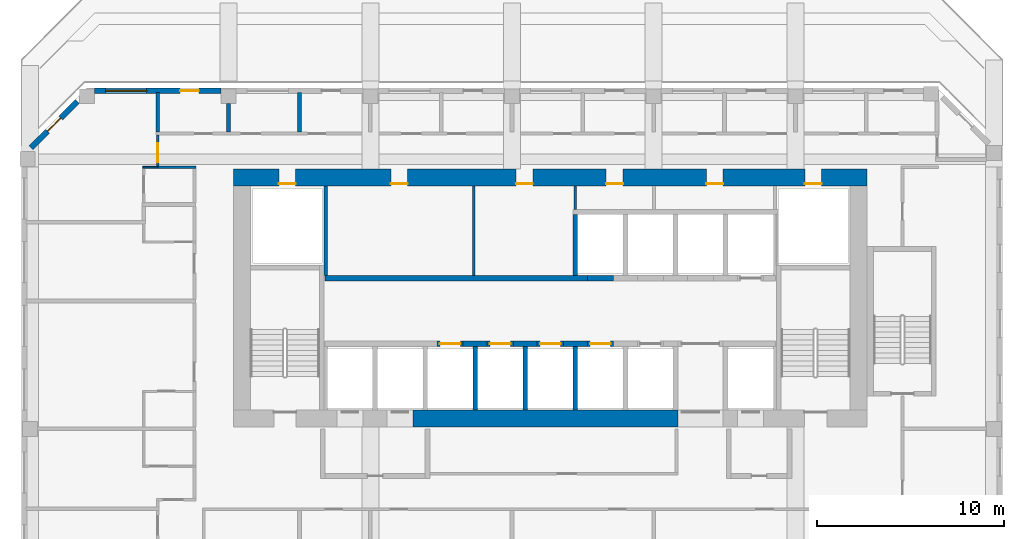
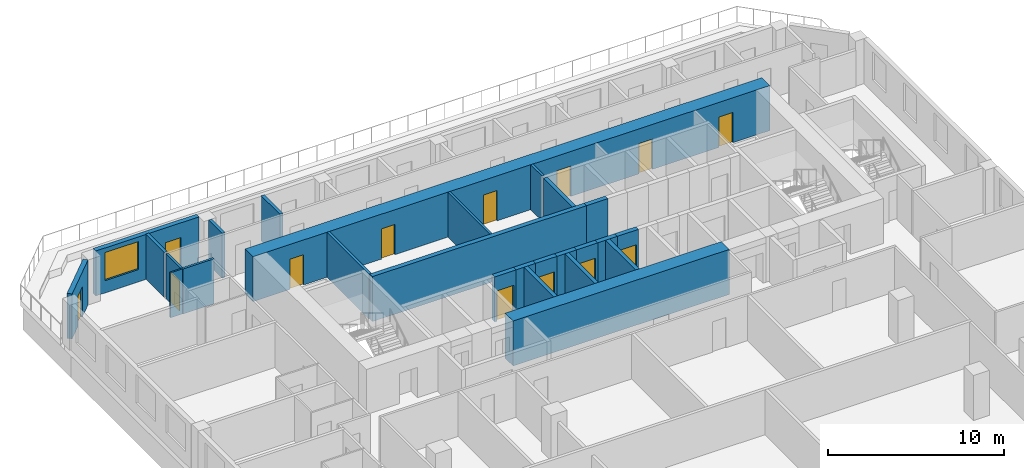
# One storey, part 8 of 16: 26 walls, 13 doors, 1 window, 14 openings.
"""IFC4 building model written with IfcOpenShell, lengths in metres."""

from ifc_helpers import new_model, si_unit, direction, frame, frame_2d, origin, place, context, subcontext, project, spatial, rectangle, extrude, source, transform, mapped, material, layer, layer_set, type_object, element, fill, save


model = new_model("IFC4")

# Units and contexts
model_context = context("Model", 3, precision=1e-05, world=origin(), true_north=direction((0.0, 1.0)))
body_context = subcontext(model_context, "Body", "Model", "MODEL_VIEW")
ifc_project = project(units=[si_unit("LENGTHUNIT", "METRE"), si_unit("AREAUNIT", "SQUARE_METRE"), si_unit("VOLUMEUNIT", "CUBIC_METRE"), si_unit("PLANEANGLEUNIT", "RADIAN"), si_unit("MASSUNIT", "GRAM", prefix="KILO")], contexts=[model_context])

# Site, building, storey
site_placement = place(None, origin())
site = spatial("IfcSite", under=ifc_project, at=site_placement, CompositionType="ELEMENT")
building_placement = place(site_placement, origin())
building = spatial("IfcBuilding", under=site, at=building_placement, Name="Kilnfold Tower and Market Hall", CompositionType="ELEMENT")
storey_placement = place(building_placement, frame((0.0, 0.0, 168.5)))
storey = spatial("IfcBuildingStorey", under=building, at=storey_placement, Name="L39", CompositionType="ELEMENT", Elevation=168.5)

# Wall, opening, door
ifc_material_1 = material(Name="Gypsum board on steel studs", Category="steel")
ifc_layer_1 = layer(ifc_material_1, 0.14990234375)
ifc_layer_set_1 = layer_set([ifc_layer_1], Name="Gypsum board on steel studs")
wall_type_1 = type_object("IfcWallType", Name="WALL CORRIDOR 150", PredefinedType="PARTITIONING", material=ifc_layer_set_1)
wall_1_placement = place(storey_placement, frame((-19.958984375, 22.074951171875, 0.0), z_axis=(0.0, 0.0, 1.0), x_axis=(0.0, 1.0, 0.0)))
wall_1 = element("IfcWall", 1, at=wall_1_placement, inside=storey, type_object=wall_type_1, Name="Partition LY26.26", PredefinedType="PARTITIONING", context=body_context, shape_type="SweptSolid", body=[
    extrude(rectangle(XDim=1.650146484375, YDim=0.14990234375, at=frame_2d((0.8251953125, 0.0))), origin(), (0.0, 0.0, 1.0), 3.1201171875),
])
opening_1_placement = place(wall_1_placement, frame((0.199951171875, 0.0, 0.0)))
opening_1 = element("IfcOpeningElement", 2, at=opening_1_placement, cuts=wall_1, Name="Opening D1", PredefinedType="OPENING", context=body_context, shape_type="SweptSolid", body=[
    extrude(rectangle(XDim=1.0, YDim=2.10009765625, at=frame_2d((0.5, 1.050048828125))), frame((0.0, 0.0849609375, 0.0), z_axis=(0.0, -1.0, 0.0), x_axis=(1.0, 0.0, 0.0)), (0.0, 0.0, 1.0), 0.169921875),
])
ifc_material_2 = material(Name="Timber veneer door leaf in steel frame", Category="steel")
door_type_1 = type_object("IfcDoorType", Name="DOOR ENTRY 1000 X2100", OperationType="NOTDEFINED", PredefinedType="DOOR", material=ifc_material_2)
door_1_placement = place(opening_1_placement, origin())
door_1 = element("IfcDoor", 3, at=door_1_placement, inside=storey, type_object=door_type_1, Name="Door D1", OperationType="SINGLE_SWING_LEFT", OverallHeight=2.10009765625, OverallWidth=1.0, PredefinedType="DOOR", context=body_context, shape_type="SweptSolid", body=[
    extrude(rectangle(XDim=1.0, YDim=2.10009765625, at=frame_2d((0.5, 1.050048828125))), frame((0.0, 0.02490234375, 0.0), z_axis=(0.0, -1.0, 0.0), x_axis=(1.0, 0.0, 0.0)), (0.0, 0.0, 1.0), 0.050048828125),
])
fill(opening_1, door_1)

# Walls
wall_2_placement = place(storey_placement, frame((-19.958984375, 22.0, 0.0), z_axis=(0.0, 0.0, 1.0), x_axis=(1.0, 0.0, 0.0)))
element("IfcWall", 4, at=wall_2_placement, inside=storey, type_object=wall_type_1, Name="Partition LY26.28", PredefinedType="PARTITIONING", context=body_context, shape_type="SweptSolid", body=[
    extrude(rectangle(XDim=2.033935546875, YDim=0.14990234375, at=frame_2d((1.01708984375, 0.0))), origin(), (0.0, 0.0, 1.0), 3.1201171875),
])
ifc_material_3 = material(Name="Gypsum board on steel studs", Category="steel")
ifc_layer_2 = layer(ifc_material_3, 0.10009765625)
ifc_layer_set_2 = layer_set([ifc_layer_2], Name="Gypsum board on steel studs")
wall_type_2 = type_object("IfcWallType", Name="WALL PARTITION 100", PredefinedType="PARTITIONING", material=ifc_layer_set_2)
wall_3_placement = place(storey_placement, frame((-20.751953125, 22.0, 0.0), z_axis=(0.0, 0.0, 1.0), x_axis=(1.0, 0.0, 0.0)))
element("IfcWall", 5, at=wall_3_placement, inside=storey, type_object=wall_type_2, Name="Partition LY26.115", PredefinedType="PARTITIONING", context=body_context, shape_type="SweptSolid", body=[
    extrude(rectangle(XDim=0.791015625, YDim=0.10009765625, at=frame_2d((0.3955078125, 0.0))), origin(), (0.0, 0.0, 1.0), 3.1201171875),
])
ifc_material_4 = material(Name="Gypsum board on steel studs", Category="steel")
ifc_layer_3 = layer(ifc_material_4, 0.199951171875)
ifc_layer_set_3 = layer_set([ifc_layer_3], Name="Gypsum board on steel studs")
wall_type_3 = type_object("IfcWallType", Name="WALL PARTY 200", PredefinedType="PARTITIONING", material=ifc_layer_set_3)
wall_4_placement = place(storey_placement, frame((-19.958984375, 23.876953125, 0.0), z_axis=(0.0, 0.0, 1.0), x_axis=(0.0, 1.0, 0.0)))
element("IfcWall", 6, at=wall_4_placement, inside=storey, type_object=wall_type_3, Name="Partition LY26.117", PredefinedType="PARTITIONING", context=body_context, shape_type="SweptSolid", body=[
    extrude(rectangle(XDim=2.123046875, YDim=0.199951171875, at=frame_2d((1.0615234375, 0.0))), origin(), (0.0, 0.0, 1.0), 3.1201171875),
])
wall_5_placement = place(storey_placement, frame((-16.1669921875, 23.876953125, 0.0), z_axis=(0.0, 0.0, 1.0), x_axis=(0.0, 1.0, 0.0)))
element("IfcWall", 7, at=wall_5_placement, inside=storey, type_object=wall_type_3, Name="Partition LY26.124", PredefinedType="PARTITIONING", context=body_context, shape_type="SweptSolid", body=[
    extrude(rectangle(XDim=1.52294921875, YDim=0.199951171875, at=frame_2d((0.761474609375, 0.0))), origin(), (0.0, 0.0, 1.0), 3.1201171875),
])
wall_6_placement = place(storey_placement, frame((-12.375, 23.876953125, 0.0), z_axis=(0.0, 0.0, 1.0), x_axis=(0.0, 1.0, 0.0)))
element("IfcWall", 8, at=wall_6_placement, inside=storey, type_object=wall_type_3, Name="Partition LY26.125", PredefinedType="PARTITIONING", context=body_context, shape_type="SweptSolid", body=[
    extrude(rectangle(XDim=2.123046875, YDim=0.199951171875, at=frame_2d((1.0615234375, 0.0))), origin(), (0.0, 0.0, 1.0), 3.1201171875),
])
ifc_material_5 = material(Name="Concrete C70", Category="concrete")
ifc_layer_4 = layer(ifc_material_5, 0.89990234375)
ifc_layer_set_4 = layer_set([ifc_layer_4], Name="Concrete C70")
wall_type_4 = type_object("IfcWallType", Name="CORE WALL 900 C70", PredefinedType="SHEAR", material=ifc_layer_set_4)
shared_shape_1 = source(origin(), body_context, "Body", "SweptSolid", [
    extrude(rectangle(XDim=14.179931640625, YDim=0.89990234375, at=frame_2d((7.08984375, 0.0))), origin(), (0.0, 0.0, 1.0), 3.1201171875),
])
wall_7_placement = place(storey_placement, frame((-6.2900390625, 8.550048828125, 0.0), z_axis=(0.0, 0.0, 1.0), x_axis=(1.0, 0.0, 0.0)))
element("IfcWall", 9, at=wall_7_placement, inside=storey, type_object=wall_type_4, Name="Core outer wall south", PredefinedType="SHEAR", context=body_context, shape_type="MappedRepresentation", body=[
    mapped(shared_shape_1, transform((0.0, 0.0, 0.0))),
])

# Wall, openings, doors
shared_shape_2 = source(origin(), body_context, "Body", "SweptSolid", [
    extrude(rectangle(XDim=33.89990234375, YDim=0.89990234375, at=frame_2d((16.949951171875, 0.0))), origin(), (0.0, 0.0, 1.0), 3.1201171875),
])
wall_8_placement = place(storey_placement, frame((-15.89990234375, 21.449951171875, 0.0), z_axis=(0.0, 0.0, 1.0), x_axis=(1.0, 0.0, 0.0)))
wall_8 = element("IfcWall", 10, at=wall_8_placement, inside=storey, type_object=wall_type_4, Name="Core outer wall north", PredefinedType="SHEAR", context=body_context, shape_type="MappedRepresentation", body=[
    mapped(shared_shape_2, transform((0.0, 0.0, 0.0))),
])
opening_2_placement = place(wall_8_placement, frame((8.419921875, 0.0, 0.0)))
opening_2 = element("IfcOpeningElement", 11, at=opening_2_placement, cuts=wall_8, Name="Opening KD1", PredefinedType="OPENING", context=body_context, shape_type="SweptSolid", body=[
    extrude(rectangle(XDim=0.89990234375, YDim=2.10009765625, at=frame_2d((0.449951171875, 1.050048828125))), frame((0.0, 0.4599609375, 0.0), z_axis=(0.0, -1.0, 0.0), x_axis=(1.0, 0.0, 0.0)), (0.0, 0.0, 1.0), 0.919921875),
])
opening_3_placement = place(wall_8_placement, frame((15.119873046875, 0.0, 0.0)))
opening_3 = element("IfcOpeningElement", 12, at=opening_3_placement, cuts=wall_8, Name="Opening KD1", PredefinedType="OPENING", context=body_context, shape_type="SweptSolid", body=[
    extrude(rectangle(XDim=0.89990234375, YDim=2.10009765625, at=frame_2d((0.449951171875, 1.050048828125))), frame((0.0, 0.4599609375, 0.0), z_axis=(0.0, -1.0, 0.0), x_axis=(1.0, 0.0, 0.0)), (0.0, 0.0, 1.0), 0.919921875),
])
opening_4_placement = place(wall_8_placement, frame((19.94384765625, 0.0, 0.0)))
opening_4 = element("IfcOpeningElement", 13, at=opening_4_placement, cuts=wall_8, Name="Opening KD1", PredefinedType="OPENING", context=body_context, shape_type="SweptSolid", body=[
    extrude(rectangle(XDim=0.89990234375, YDim=2.10009765625, at=frame_2d((0.449951171875, 1.050048828125))), frame((0.0, 0.4599609375, 0.0), z_axis=(0.0, -1.0, 0.0), x_axis=(1.0, 0.0, 0.0)), (0.0, 0.0, 1.0), 0.919921875),
])
opening_5_placement = place(wall_8_placement, frame((25.3037109375, 0.0, 0.0)))
opening_5 = element("IfcOpeningElement", 14, at=opening_5_placement, cuts=wall_8, Name="Opening KD1", PredefinedType="OPENING", context=body_context, shape_type="SweptSolid", body=[
    extrude(rectangle(XDim=0.89990234375, YDim=2.10009765625, at=frame_2d((0.449951171875, 1.050048828125))), frame((0.0, 0.4599609375, 0.0), z_axis=(0.0, -1.0, 0.0), x_axis=(1.0, 0.0, 0.0)), (0.0, 0.0, 1.0), 0.919921875),
])
opening_6_placement = place(wall_8_placement, frame((2.425048828125, 0.0, 0.0)))
opening_6 = element("IfcOpeningElement", 15, at=opening_6_placement, cuts=wall_8, Name="Opening KD1", PredefinedType="OPENING", context=body_context, shape_type="SweptSolid", body=[
    extrude(rectangle(XDim=0.89990234375, YDim=2.10009765625, at=frame_2d((0.449951171875, 1.050048828125))), frame((0.0, 0.4599609375, 0.0), z_axis=(0.0, -1.0, 0.0), x_axis=(1.0, 0.0, 0.0)), (0.0, 0.0, 1.0), 0.919921875),
])
opening_7_placement = place(wall_8_placement, frame((30.574951171875, 0.0, 0.0)))
opening_7 = element("IfcOpeningElement", 16, at=opening_7_placement, cuts=wall_8, Name="Opening KD1", PredefinedType="OPENING", context=body_context, shape_type="SweptSolid", body=[
    extrude(rectangle(XDim=0.89990234375, YDim=2.10009765625, at=frame_2d((0.449951171875, 1.050048828125))), frame((0.0, 0.4599609375, 0.0), z_axis=(0.0, -1.0, 0.0), x_axis=(1.0, 0.0, 0.0)), (0.0, 0.0, 1.0), 0.919921875),
])
ifc_material_6 = material(Name="Steel door set with fire-resisting leaf", Category="steel")
door_type_2 = type_object("IfcDoorType", Name="SERVICE DOOR 900X2100", OperationType="NOTDEFINED", PredefinedType="DOOR", material=ifc_material_6)
door_2_placement = place(opening_2_placement, origin())
door_2 = element("IfcDoor", 17, at=door_2_placement, inside=storey, type_object=door_type_2, Name="Core service door", OperationType="SINGLE_SWING_RIGHT", OverallHeight=2.10009765625, OverallWidth=0.89990234375, PredefinedType="DOOR", context=body_context, shape_type="SweptSolid", body=[
    extrude(rectangle(XDim=0.89990234375, YDim=2.10009765625, at=frame_2d((0.449951171875, 1.050048828125))), frame((0.0, -0.30517578125, 0.0), z_axis=(0.0, -1.0, 0.0), x_axis=(1.0, 0.0, 0.0)), (0.0, 0.0, 1.0), 0.050048828125),
])
fill(opening_2, door_2)
door_3_placement = place(opening_3_placement, origin())
door_3 = element("IfcDoor", 18, at=door_3_placement, inside=storey, type_object=door_type_2, Name="Core service door", OperationType="SINGLE_SWING_LEFT", OverallHeight=2.10009765625, OverallWidth=0.89990234375, PredefinedType="DOOR", context=body_context, shape_type="SweptSolid", body=[
    extrude(rectangle(XDim=0.89990234375, YDim=2.10009765625, at=frame_2d((0.449951171875, 1.050048828125))), frame((0.0, -0.30517578125, 0.0), z_axis=(0.0, -1.0, 0.0), x_axis=(1.0, 0.0, 0.0)), (0.0, 0.0, 1.0), 0.050048828125),
])
fill(opening_3, door_3)
door_4_placement = place(opening_4_placement, origin())
door_4 = element("IfcDoor", 19, at=door_4_placement, inside=storey, type_object=door_type_2, Name="Core service door", OperationType="SINGLE_SWING_RIGHT", OverallHeight=2.10009765625, OverallWidth=0.89990234375, PredefinedType="DOOR", context=body_context, shape_type="SweptSolid", body=[
    extrude(rectangle(XDim=0.89990234375, YDim=2.10009765625, at=frame_2d((0.449951171875, 1.050048828125))), frame((0.0, -0.30517578125, 0.0), z_axis=(0.0, -1.0, 0.0), x_axis=(1.0, 0.0, 0.0)), (0.0, 0.0, 1.0), 0.050048828125),
])
fill(opening_4, door_4)
door_5_placement = place(opening_5_placement, origin())
door_5 = element("IfcDoor", 20, at=door_5_placement, inside=storey, type_object=door_type_2, Name="Core service door", OperationType="SINGLE_SWING_LEFT", OverallHeight=2.10009765625, OverallWidth=0.89990234375, PredefinedType="DOOR", context=body_context, shape_type="SweptSolid", body=[
    extrude(rectangle(XDim=0.89990234375, YDim=2.10009765625, at=frame_2d((0.449951171875, 1.050048828125))), frame((0.0, -0.30517578125, 0.0), z_axis=(0.0, -1.0, 0.0), x_axis=(1.0, 0.0, 0.0)), (0.0, 0.0, 1.0), 0.050048828125),
])
fill(opening_5, door_5)
door_6_placement = place(opening_6_placement, origin())
door_6 = element("IfcDoor", 21, at=door_6_placement, inside=storey, type_object=door_type_2, Name="Electrical riser access door", OperationType="SINGLE_SWING_RIGHT", OverallHeight=2.10009765625, OverallWidth=0.89990234375, PredefinedType="DOOR", context=body_context, shape_type="SweptSolid", body=[
    extrude(rectangle(XDim=0.89990234375, YDim=2.10009765625, at=frame_2d((0.449951171875, 1.050048828125))), frame((0.0, -0.30517578125, 0.0), z_axis=(0.0, -1.0, 0.0), x_axis=(1.0, 0.0, 0.0)), (0.0, 0.0, 1.0), 0.050048828125),
])
fill(opening_6, door_6)
door_7_placement = place(opening_7_placement, origin())
door_7 = element("IfcDoor", 22, at=door_7_placement, inside=storey, type_object=door_type_2, Name="Mechanical riser access door", OperationType="SINGLE_SWING_LEFT", OverallHeight=2.10009765625, OverallWidth=0.89990234375, PredefinedType="DOOR", context=body_context, shape_type="SweptSolid", body=[
    extrude(rectangle(XDim=0.89990234375, YDim=2.10009765625, at=frame_2d((0.449951171875, 1.050048828125))), frame((0.0, -0.30517578125, 0.0), z_axis=(0.0, -1.0, 0.0), x_axis=(1.0, 0.0, 0.0)), (0.0, 0.0, 1.0), 0.050048828125),
])
fill(opening_7, door_7)

# Walls
ifc_material_7 = material(Name="Concrete C70", Category="concrete")
ifc_layer_5 = layer(ifc_material_7, 0.300048828125)
ifc_layer_set_5 = layer_set([ifc_layer_5], Name="Concrete C70")
wall_type_5 = type_object("IfcWallType", Name="CORE WALL 300 C70", PredefinedType="SHEAR", material=ifc_layer_set_5)
shared_shape_3 = source(origin(), body_context, "Body", "SweptSolid", [
    extrude(rectangle(XDim=1.280029296875, YDim=0.300048828125, at=frame_2d((0.64013671875, 0.0))), origin(), (0.0, 0.0, 1.0), 3.1201171875),
])
for number, where, z_axis, x_axis, name in (
    (23, (-3.610107421875, 12.550048828125, 0.0), (0.0, 0.0, 1.0), (1.0, 0.0, 0.0), "Core spine wall"),
    (24, (-0.929931640625, 12.550048828125, 0.0), (0.0, 0.0, 1.0), (1.0, 0.0, 0.0), "Core spine wall"),
    (25, (1.75, 12.550048828125, 0.0), (0.0, 0.0, 1.0), (1.0, 0.0, 0.0), "Core spine wall"),
):
    element("IfcWall", number, at=place(storey_placement, frame(where, z_axis=z_axis, x_axis=x_axis)), inside=storey, type_object=wall_type_5, Name=name, PredefinedType="SHEAR", context=body_context, shape_type="MappedRepresentation", body=[
        mapped(shared_shape_3, transform((0.0, 0.0, 0.0))),
    ])
shared_shape_4 = source(origin(), body_context, "Body", "SweptSolid", [
    extrude(rectangle(XDim=14.0400390625, YDim=0.300048828125, at=frame_2d((7.02001953125, 0.0))), origin(), (0.0, 0.0, 1.0), 3.1201171875),
])
wall_9_placement = place(storey_placement, frame((-11.010009765625, 16.050048828125, 0.0), z_axis=(0.0, 0.0, 1.0), x_axis=(1.0, 0.0, 0.0)))
element("IfcWall", 26, at=wall_9_placement, inside=storey, type_object=wall_type_5, Name="Core spine wall", PredefinedType="SHEAR", context=body_context, shape_type="MappedRepresentation", body=[
    mapped(shared_shape_4, transform((0.0, 0.0, 0.0))),
])

# Wall, openings, door, window
ifc_material_8 = material(Name="Precast concrete C50/60", Category="concrete")
ifc_layer_6 = layer(ifc_material_8, 0.300048828125)
ifc_layer_set_6 = layer_set([ifc_layer_6], Name="Precast concrete C50/60")
wall_type_6 = type_object("IfcWallType", Name="PRECAST WALL 300", PredefinedType="SOLIDWALL", material=ifc_layer_set_6)
shared_shape_5 = source(origin(), body_context, "Body", "SweptSolid", [
    extrude(rectangle(XDim=6.783447265625, YDim=0.300048828125, at=frame_2d((3.3916015625, 0.0))), origin(), (0.0, 0.0, 1.0), 3.1201171875),
])
wall_10_placement = place(storey_placement, frame((-16.566650390625, 26.10009765625, 0.0), z_axis=(0.0, 0.0, 1.0), x_axis=(-1.0, 0.0, 0.0)))
wall_10 = element("IfcWall", 27, at=wall_10_placement, inside=storey, type_object=wall_type_6, Name="External wall L39 N", PredefinedType="SOLIDWALL", context=body_context, shape_type="MappedRepresentation", body=[
    mapped(shared_shape_5, transform((0.0, 0.0, 0.0))),
])
opening_8_placement = place(wall_10_placement, frame((1.19580078125, 0.0, 0.0)))
opening_8 = element("IfcOpeningElement", 28, at=opening_8_placement, cuts=wall_10, Name="Opening BD1", PredefinedType="OPENING", context=body_context, shape_type="SweptSolid", body=[
    extrude(rectangle(XDim=1.0, YDim=2.10009765625, at=frame_2d((0.5, 1.050048828125))), frame((0.0, 0.16015625, 0.0), z_axis=(0.0, -1.0, 0.0), x_axis=(1.0, 0.0, 0.0)), (0.0, 0.0, 1.0), 0.320068359375),
])
opening_9_placement = place(wall_10_placement, frame((3.987548828125, 0.0, 0.85009765625)))
opening_9 = element("IfcOpeningElement", 29, at=opening_9_placement, cuts=wall_10, Name="Opening W2", PredefinedType="OPENING", context=body_context, shape_type="SweptSolid", body=[
    extrude(rectangle(XDim=2.199951171875, YDim=1.949951171875, at=frame_2d((1.10009765625, 0.97509765625))), frame((0.0, 0.16015625, 0.0), z_axis=(0.0, -1.0, 0.0), x_axis=(1.0, 0.0, 0.0)), (0.0, 0.0, 1.0), 0.320068359375),
])
ifc_material_9 = material(Name="Aluminium frame and double glazing", Category="aluminium")
door_type_3 = type_object("IfcDoorType", Name="BALCONY DOOR 1000X2100", OperationType="NOTDEFINED", PredefinedType="DOOR", material=ifc_material_9)
door_8_placement = place(opening_8_placement, origin())
door_8 = element("IfcDoor", 30, at=door_8_placement, inside=storey, type_object=door_type_3, Name="Balcony door BD1 L39 N-1", OperationType="SINGLE_SWING_LEFT", OverallHeight=2.10009765625, OverallWidth=1.0, PredefinedType="DOOR", context=body_context, shape_type="SweptSolid", body=[
    extrude(rectangle(XDim=1.0, YDim=2.10009765625, at=frame_2d((0.5, 1.050048828125))), frame((0.0, 0.02490234375, 0.0), z_axis=(0.0, -1.0, 0.0), x_axis=(1.0, 0.0, 0.0)), (0.0, 0.0, 1.0), 0.050048828125),
])
fill(opening_8, door_8)
ifc_material_10 = material(Name="Aluminium frame and double glazing", Category="aluminium")
window_type = type_object("IfcWindowType", Name="WINDOW W2 2200X1950", PartitioningType="SINGLE_PANEL", PredefinedType="WINDOW", material=ifc_material_10)
window_placement = place(opening_9_placement, origin())
window = element("IfcWindow", 31, at=window_placement, inside=storey, type_object=window_type, Name="Window W2 L39 N-2", OverallHeight=1.949951171875, OverallWidth=2.199951171875, PartitioningType="SINGLE_PANEL", PredefinedType="WINDOW", context=body_context, shape_type="SweptSolid", body=[
    extrude(rectangle(XDim=2.199951171875, YDim=1.949951171875, at=frame_2d((1.10009765625, 0.97509765625))), frame((0.0, 0.030029296875, 0.0), z_axis=(0.0, -1.0, 0.0), x_axis=(1.0, 0.0, 0.0)), (0.0, 0.0, 1.0), 0.06005859375),
])
fill(opening_9, window)

# Wall, opening, door
shared_shape_6 = source(origin(), body_context, "Body", "SweptSolid", [
    extrude(rectangle(XDim=3.500244140625, YDim=0.300048828125, at=frame_2d((1.75, 0.0))), origin(), (0.0, 0.0, 1.0), 3.1201171875),
])
wall_11_placement = place(storey_placement, frame((-24.268798828125, 25.518798828125, 0.0), z_axis=(0.0, 0.0, 1.0), x_axis=(-0.707141656123, -0.70707190453, 0.0)))
wall_11 = element("IfcWall", 32, at=wall_11_placement, inside=storey, type_object=wall_type_6, Name="External wall L39 NW", PredefinedType="SOLIDWALL", context=body_context, shape_type="MappedRepresentation", body=[
    mapped(shared_shape_6, transform((0.0, 0.0, 0.0))),
])
opening_10_placement = place(wall_11_placement, frame((1.25, 0.0, 0.0)))
opening_10 = element("IfcOpeningElement", 33, at=opening_10_placement, cuts=wall_11, Name="Opening BD1", PredefinedType="OPENING", context=body_context, shape_type="SweptSolid", body=[
    extrude(rectangle(XDim=1.0, YDim=2.10009765625, at=frame_2d((0.5, 1.050048828125))), frame((0.0, 0.16015625, 0.0), z_axis=(0.0, -1.0, 0.0), x_axis=(1.0, 0.0, 0.0)), (0.0, 0.0, 1.0), 0.320068359375),
])
door_9_placement = place(opening_10_placement, origin())
door_9 = element("IfcDoor", 34, at=door_9_placement, inside=storey, type_object=door_type_3, Name="Balcony door BD1 L39 NW-1", OperationType="SINGLE_SWING_LEFT", OverallHeight=2.10009765625, OverallWidth=1.0, PredefinedType="DOOR", context=body_context, shape_type="SweptSolid", body=[
    extrude(rectangle(XDim=1.0, YDim=2.10009765625, at=frame_2d((0.5, 1.050048828125))), frame((0.0, 0.02490234375, 0.0), z_axis=(0.0, -1.0, 0.0), x_axis=(1.0, 0.0, 0.0)), (0.0, 0.0, 1.0), 0.050048828125),
])
fill(opening_10, door_9)

ifc_material_11 = material(Name="Gypsum shaft wall system")
ifc_layer_7 = layer(ifc_material_11, 0.300048828125)
ifc_layer_set_7 = layer_set([ifc_layer_7], Name="Gypsum shaft wall system")
wall_type_7 = type_object("IfcWallType", Name="SHAFT WALL 300", PredefinedType="PARTITIONING", material=ifc_layer_set_7)
shared_shape_7 = source(origin(), body_context, "Body", "SweptSolid", [
    extrude(rectangle(XDim=1.39990234375, YDim=0.300048828125, at=frame_2d((0.699951171875, 0.0))), origin(), (0.0, 0.0, 1.0), 3.1201171875),
])
wall_12_placement = place(storey_placement, frame((-5.010009765625, 12.550048828125, 0.0), z_axis=(0.0, 0.0, 1.0), x_axis=(1.0, 0.0, 0.0)))
wall_12 = element("IfcWall", 35, at=wall_12_placement, inside=storey, type_object=wall_type_7, Name="Lift shaft front wall", PredefinedType="PARTITIONING", context=body_context, shape_type="MappedRepresentation", body=[
    mapped(shared_shape_7, transform((0.0, 0.0, 0.0))),
])
opening_11_placement = place(wall_12_placement, frame((0.14990234375, 0.0, 0.0)))
opening_11 = element("IfcOpeningElement", 36, at=opening_11_placement, cuts=wall_12, Name="Opening LD2", PredefinedType="OPENING", context=body_context, shape_type="SweptSolid", body=[
    extrude(rectangle(XDim=1.10009765625, YDim=2.10009765625, at=frame_2d((0.550048828125, 1.050048828125))), frame((0.0, 0.16015625, 0.0), z_axis=(0.0, -1.0, 0.0), x_axis=(1.0, 0.0, 0.0)), (0.0, 0.0, 1.0), 0.320068359375),
])
ifc_material_12 = material(Name="Steel door set with fire-resisting leaf", Category="steel")
door_type_4 = type_object("IfcDoorType", Name="LANDING DOOR 1100X2100", OperationType="NOTDEFINED", PredefinedType="DOOR", material=ifc_material_12)
door_10_placement = place(opening_11_placement, origin())
door_10 = element("IfcDoor", 37, at=door_10_placement, inside=storey, type_object=door_type_4, Name="Landing door MR1", OperationType="DOUBLE_DOOR_SLIDING", OverallHeight=2.10009765625, OverallWidth=1.10009765625, PredefinedType="DOOR", context=body_context, shape_type="SweptSolid", body=[
    extrude(rectangle(XDim=1.10009765625, YDim=2.10009765625, at=frame_2d((0.550048828125, 1.050048828125))), frame((0.0, 0.02490234375, 0.0), z_axis=(0.0, -1.0, 0.0), x_axis=(1.0, 0.0, 0.0)), (0.0, 0.0, 1.0), 0.050048828125),
])
fill(opening_11, door_10)

wall_13_placement = place(storey_placement, frame((0.35009765625, 12.550048828125, 0.0), z_axis=(0.0, 0.0, 1.0), x_axis=(1.0, 0.0, 0.0)))
wall_13 = element("IfcWall", 38, at=wall_13_placement, inside=storey, type_object=wall_type_7, Name="Lift shaft front wall", PredefinedType="PARTITIONING", context=body_context, shape_type="MappedRepresentation", body=[
    mapped(shared_shape_7, transform((0.0, 0.0, 0.0))),
])
opening_12_placement = place(wall_13_placement, frame((0.14990234375, 0.0, 0.0)))
opening_12 = element("IfcOpeningElement", 39, at=opening_12_placement, cuts=wall_13, Name="Opening LD2", PredefinedType="OPENING", context=body_context, shape_type="SweptSolid", body=[
    extrude(rectangle(XDim=1.10009765625, YDim=2.10009765625, at=frame_2d((0.550048828125, 1.050048828125))), frame((0.0, 0.16015625, 0.0), z_axis=(0.0, -1.0, 0.0), x_axis=(1.0, 0.0, 0.0)), (0.0, 0.0, 1.0), 0.320068359375),
])
door_11_placement = place(opening_12_placement, origin())
door_11 = element("IfcDoor", 40, at=door_11_placement, inside=storey, type_object=door_type_4, Name="Landing door MR3", OperationType="DOUBLE_DOOR_SLIDING", OverallHeight=2.10009765625, OverallWidth=1.10009765625, PredefinedType="DOOR", context=body_context, shape_type="SweptSolid", body=[
    extrude(rectangle(XDim=1.10009765625, YDim=2.10009765625, at=frame_2d((0.550048828125, 1.050048828125))), frame((0.0, 0.02490234375, 0.0), z_axis=(0.0, -1.0, 0.0), x_axis=(1.0, 0.0, 0.0)), (0.0, 0.0, 1.0), 0.050048828125),
])
fill(opening_12, door_11)

wall_14_placement = place(storey_placement, frame((3.030029296875, 12.550048828125, 0.0), z_axis=(0.0, 0.0, 1.0), x_axis=(1.0, 0.0, 0.0)))
wall_14 = element("IfcWall", 41, at=wall_14_placement, inside=storey, type_object=wall_type_7, Name="Lift shaft front wall", PredefinedType="PARTITIONING", context=body_context, shape_type="MappedRepresentation", body=[
    mapped(shared_shape_7, transform((0.0, 0.0, 0.0))),
])
opening_13_placement = place(wall_14_placement, frame((0.14990234375, 0.0, 0.0)))
opening_13 = element("IfcOpeningElement", 42, at=opening_13_placement, cuts=wall_14, Name="Opening LD2", PredefinedType="OPENING", context=body_context, shape_type="SweptSolid", body=[
    extrude(rectangle(XDim=1.10009765625, YDim=2.10009765625, at=frame_2d((0.550048828125, 1.050048828125))), frame((0.0, 0.16015625, 0.0), z_axis=(0.0, -1.0, 0.0), x_axis=(1.0, 0.0, 0.0)), (0.0, 0.0, 1.0), 0.320068359375),
])
door_12_placement = place(opening_13_placement, origin())
door_12 = element("IfcDoor", 43, at=door_12_placement, inside=storey, type_object=door_type_4, Name="Landing door MR4", OperationType="DOUBLE_DOOR_SLIDING", OverallHeight=2.10009765625, OverallWidth=1.10009765625, PredefinedType="DOOR", context=body_context, shape_type="SweptSolid", body=[
    extrude(rectangle(XDim=1.10009765625, YDim=2.10009765625, at=frame_2d((0.550048828125, 1.050048828125))), frame((0.0, 0.02490234375, 0.0), z_axis=(0.0, -1.0, 0.0), x_axis=(1.0, 0.0, 0.0)), (0.0, 0.0, 1.0), 0.050048828125),
])
fill(opening_13, door_12)

# Wall
wall_15_placement = place(storey_placement, frame((3.030029296875, 16.050048828125, 0.0), z_axis=(0.0, 0.0, 1.0), x_axis=(1.0, 0.0, 0.0)))
element("IfcWall", 44, at=wall_15_placement, inside=storey, type_object=wall_type_7, Name="Lift shaft front wall", PredefinedType="PARTITIONING", context=body_context, shape_type="MappedRepresentation", body=[
    mapped(shared_shape_7, transform((0.0, 0.0, 0.0))),
])

# Wall, opening, door
shared_shape_8 = source(origin(), body_context, "Body", "SweptSolid", [
    extrude(rectangle(XDim=1.400146484375, YDim=0.300048828125, at=frame_2d((0.7001953125, 0.0))), origin(), (0.0, 0.0, 1.0), 3.1201171875),
])
wall_16_placement = place(storey_placement, frame((-2.330078125, 12.550048828125, 0.0), z_axis=(0.0, 0.0, 1.0), x_axis=(1.0, 0.0, 0.0)))
wall_16 = element("IfcWall", 45, at=wall_16_placement, inside=storey, type_object=wall_type_7, Name="Lift shaft front wall", PredefinedType="PARTITIONING", context=body_context, shape_type="MappedRepresentation", body=[
    mapped(shared_shape_8, transform((0.0, 0.0, 0.0))),
])
opening_14_placement = place(wall_16_placement, frame((0.14990234375, 0.0, 0.0)))
opening_14 = element("IfcOpeningElement", 46, at=opening_14_placement, cuts=wall_16, Name="Opening LD2", PredefinedType="OPENING", context=body_context, shape_type="SweptSolid", body=[
    extrude(rectangle(XDim=1.10009765625, YDim=2.10009765625, at=frame_2d((0.550048828125, 1.050048828125))), frame((0.0, 0.16015625, 0.0), z_axis=(0.0, -1.0, 0.0), x_axis=(1.0, 0.0, 0.0)), (0.0, 0.0, 1.0), 0.320068359375),
])
door_13_placement = place(opening_14_placement, origin())
door_13 = element("IfcDoor", 47, at=door_13_placement, inside=storey, type_object=door_type_4, Name="Landing door MR2", OperationType="DOUBLE_DOOR_SLIDING", OverallHeight=2.10009765625, OverallWidth=1.10009765625, PredefinedType="DOOR", context=body_context, shape_type="SweptSolid", body=[
    extrude(rectangle(XDim=1.10009765625, YDim=2.10009765625, at=frame_2d((0.550048828125, 1.050048828125))), frame((0.0, 0.02490234375, 0.0), z_axis=(0.0, -1.0, 0.0), x_axis=(1.0, 0.0, 0.0)), (0.0, 0.0, 1.0), 0.050048828125),
])
fill(opening_14, door_13)

# Walls
ifc_material_13 = material(Name="Gypsum shaft wall system")
ifc_layer_8 = layer(ifc_material_13, 0.1650390625)
ifc_layer_set_8 = layer_set([ifc_layer_8], Name="Gypsum shaft wall system")
wall_type_8 = type_object("IfcWallType", Name="SHAFT WALL 165", PredefinedType="PARTITIONING", material=ifc_layer_set_8)
shared_shape_9 = source(origin(), body_context, "Body", "SweptSolid", [
    extrude(rectangle(XDim=4.800048828125, YDim=0.1650390625, at=frame_2d((2.39990234375, 0.0))), origin(), (0.0, 0.0, 1.0), 3.1201171875),
])
wall_17_placement = place(storey_placement, frame((-10.967529296875, 16.199951171875, 0.0), z_axis=(0.0, 0.0, 1.0), x_axis=(0.0, 1.0, 0.0)))
element("IfcWall", 48, at=wall_17_placement, inside=storey, type_object=wall_type_8, Name="Lift shaft wall", PredefinedType="PARTITIONING", context=body_context, shape_type="MappedRepresentation", body=[
    mapped(shared_shape_9, transform((0.0, 0.0, 0.0))),
])
ifc_material_14 = material(Name="Gypsum shaft wall system")
ifc_layer_9 = layer(ifc_material_14, 0.25)
ifc_layer_set_9 = layer_set([ifc_layer_9], Name="Gypsum shaft wall system")
wall_type_9 = type_object("IfcWallType", Name="SHAFT WALL 250", PredefinedType="PARTITIONING", material=ifc_layer_set_9)
shared_shape_10 = source(origin(), body_context, "Body", "SweptSolid", [
    extrude(rectangle(XDim=3.275146484375, YDim=0.25, at=frame_2d((1.6376953125, 0.0))), origin(), (0.0, 0.0, 1.0), 3.1201171875),
])
wall_18_placement = place(storey_placement, frame((2.389892578125, 16.199951171875, 0.0), z_axis=(0.0, 0.0, 1.0), x_axis=(0.0, 1.0, 0.0)))
element("IfcWall", 49, at=wall_18_placement, inside=storey, type_object=wall_type_9, Name="Lift shaft wall", PredefinedType="PARTITIONING", context=body_context, shape_type="MappedRepresentation", body=[
    mapped(shared_shape_10, transform((0.0, 0.0, 0.0))),
])
shared_shape_11 = source(origin(), body_context, "Body", "SweptSolid", [
    extrude(rectangle(XDim=3.39990234375, YDim=0.25, at=frame_2d((1.699951171875, 0.0))), origin(), (0.0, 0.0, 1.0), 3.1201171875),
])
for number, where, z_axis, x_axis, name in (
    (50, (2.389892578125, 9.0, 0.0), (0.0, 0.0, 1.0), (0.0, 1.0, 0.0), "Lift shaft wall"),
    (51, (-0.2900390625, 9.0, 0.0), (0.0, 0.0, 1.0), (0.0, 1.0, 0.0), "Lift shaft wall"),
    (52, (-2.969970703125, 9.0, 0.0), (0.0, 0.0, 1.0), (0.0, 1.0, 0.0), "Lift shaft wall"),
):
    element("IfcWall", number, at=place(storey_placement, frame(where, z_axis=z_axis, x_axis=x_axis)), inside=storey, type_object=wall_type_9, Name=name, PredefinedType="PARTITIONING", context=body_context, shape_type="MappedRepresentation", body=[
        mapped(shared_shape_11, transform((0.0, 0.0, 0.0))),
    ])
ifc_material_15 = material(Name="Gypsum shaft wall system")
ifc_layer_10 = layer(ifc_material_15, 0.14990234375)
ifc_layer_set_10 = layer_set([ifc_layer_10], Name="Gypsum shaft wall system")
wall_type_10 = type_object("IfcWallType", Name="ROOM WALL 150", PredefinedType="PARTITIONING", material=ifc_layer_set_10)
shared_shape_12 = source(origin(), body_context, "Body", "SweptSolid", [
    extrude(rectangle(XDim=4.800048828125, YDim=0.14990234375, at=frame_2d((2.39990234375, 0.0))), origin(), (0.0, 0.0, 1.0), 3.1201171875),
])
wall_19_placement = place(storey_placement, frame((-3.05029296875, 16.199951171875, 0.0), z_axis=(0.0, 0.0, 1.0), x_axis=(0.0, 1.0, 0.0)))
element("IfcWall", 53, at=wall_19_placement, inside=storey, type_object=wall_type_10, Name="Core room wall", PredefinedType="PARTITIONING", context=body_context, shape_type="MappedRepresentation", body=[
    mapped(shared_shape_12, transform((0.0, 0.0, 0.0))),
])
shared_shape_13 = source(origin(), body_context, "Body", "SweptSolid", [
    extrude(rectangle(XDim=1.27490234375, YDim=0.14990234375, at=frame_2d((0.637451171875, 0.0))), origin(), (0.0, 0.0, 1.0), 3.1201171875),
])
wall_20_placement = place(storey_placement, frame((2.389892578125, 19.72509765625, 0.0), z_axis=(0.0, 0.0, 1.0), x_axis=(0.0, 1.0, 0.0)))
element("IfcWall", 54, at=wall_20_placement, inside=storey, type_object=wall_type_10, Name="Core room wall", PredefinedType="PARTITIONING", context=body_context, shape_type="MappedRepresentation", body=[
    mapped(shared_shape_13, transform((0.0, 0.0, 0.0))),
])

save(model, "model.ifc")
